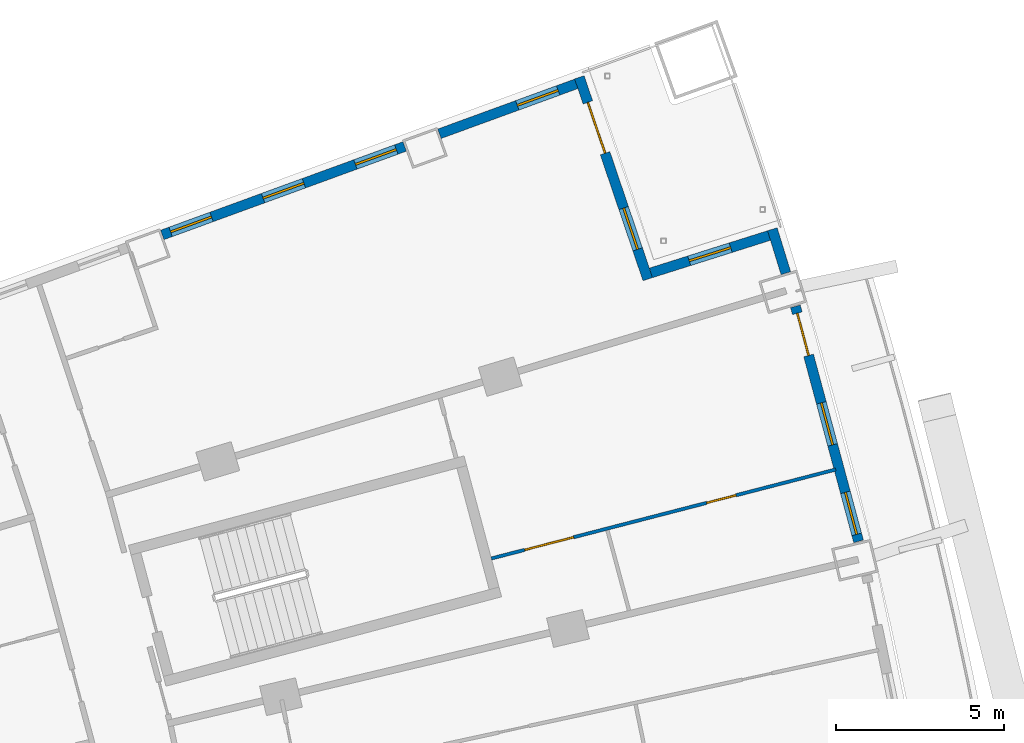
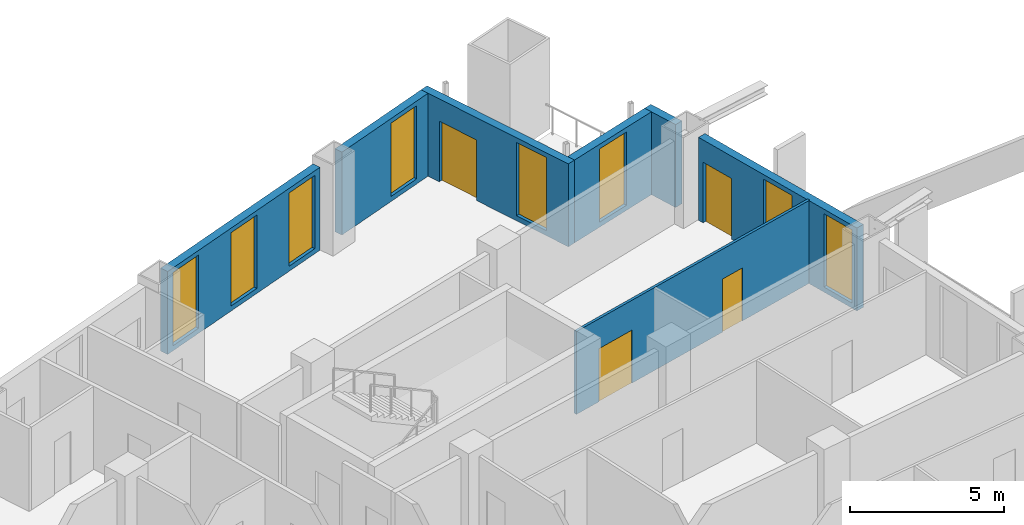
# One storey, part 21 of 25: 8 windows, 7 walls, 4 doors, 12 openings.
"""IFC4 building model written with IfcOpenShell, lengths in metres."""

from ifc_helpers import new_model, si_unit, direction, frame, frame_2d, origin, place, context, subcontext, project, spatial, rectangle, extrude, material, layer, layer_set, type_object, element, fill, save


model = new_model("IFC4")

# Units and contexts
model_context = context("Model", 3, precision=1e-05, world=origin(), true_north=direction((0.0, 1.0)))
body_context = subcontext(model_context, "Body", "Model", "MODEL_VIEW")
ifc_project = project(units=[si_unit("LENGTHUNIT", "METRE"), si_unit("AREAUNIT", "SQUARE_METRE"), si_unit("VOLUMEUNIT", "CUBIC_METRE"), si_unit("PLANEANGLEUNIT", "RADIAN"), si_unit("MASSUNIT", "GRAM", prefix="KILO")], contexts=[model_context])

# Site, building, storey
site_placement = place(None, origin())
site = spatial("IfcSite", under=ifc_project, at=site_placement, CompositionType="ELEMENT")
building_placement = place(site_placement, origin())
building = spatial("IfcBuilding", under=site, at=building_placement, Name="Alderwake Tower", CompositionType="ELEMENT")
storey_placement = place(building_placement, frame((0.0, 0.0, 64.39990234375)))
storey = spatial("IfcBuildingStorey", under=building, at=storey_placement, Name="L15", CompositionType="ELEMENT", Elevation=64.39990234375)

# Wall, openings, door, windows
ifc_material_1 = material(Name="Precast concrete C50/60 spandrel panel", Category="concrete")
ifc_layer_1 = layer(ifc_material_1, 0.300048828125)
ifc_layer_set_1 = layer_set([ifc_layer_1], Name="External wall EW1 Precast concrete C50/60 spandrel")
wall_type_1 = type_object("IfcWallType", Name="External wall EW1 Precast concrete C50/60 spandrel", PredefinedType="SOLIDWALL", material=ifc_layer_set_1)
wall_1_placement = place(storey_placement, frame((58.45361328125, 94.444091796875, 0.0), z_axis=(0.0, 0.0, 1.0), x_axis=(-0.259495836826, 0.96574422632, 0.0)))
wall_1 = element("IfcWall", 1, at=wall_1_placement, inside=storey, type_object=wall_type_1, Name="External wall 21", PredefinedType="SOLIDWALL", context=body_context, shape_type="SweptSolid", body=[
    extrude(rectangle(XDim=7.259521484375, YDim=0.300048828125, at=frame_2d((3.6298828125, 0.0))), origin(), (0.0, 0.0, 1.0), 3.280029296875),
])
opening_1_placement = place(wall_1_placement, frame((0.215087890625, 0.0, 0.199951171875)))
opening_1 = element("IfcOpeningElement", 2, at=opening_1_placement, cuts=wall_1, Name="Opening W1", PredefinedType="OPENING", context=body_context, shape_type="SweptSolid", body=[
    extrude(rectangle(XDim=1.300048828125, YDim=2.89990234375, at=frame_2d((0.64990234375, 1.449951171875))), frame((0.0, 0.159912109375, 0.0), z_axis=(0.0, -1.0, 0.0), x_axis=(1.0, 0.0, 0.0)), (0.0, 0.0, 1.0), 0.320068359375),
])
opening_2_placement = place(wall_1_placement, frame((2.979736328125, 0.0, 0.199951171875)))
opening_2 = element("IfcOpeningElement", 3, at=opening_2_placement, cuts=wall_1, Name="Opening W1", PredefinedType="OPENING", context=body_context, shape_type="SweptSolid", body=[
    extrude(rectangle(XDim=1.300048828125, YDim=2.89990234375, at=frame_2d((0.64990234375, 1.449951171875))), frame((0.0, 0.159912109375, 0.0), z_axis=(0.0, -1.0, 0.0), x_axis=(1.0, 0.0, 0.0)), (0.0, 0.0, 1.0), 0.320068359375),
])
opening_3_placement = place(wall_1_placement, frame((5.744384765625, 0.0, 0.0)))
opening_3 = element("IfcOpeningElement", 4, at=opening_3_placement, cuts=wall_1, Name="Opening D12", PredefinedType="OPENING", context=body_context, shape_type="SweptSolid", body=[
    extrude(rectangle(XDim=1.300048828125, YDim=2.39990234375, at=frame_2d((0.64990234375, 1.199951171875))), frame((0.0, 0.159912109375, 0.0), z_axis=(0.0, -1.0, 0.0), x_axis=(1.0, 0.0, 0.0)), (0.0, 0.0, 1.0), 0.320068359375),
])
ifc_material_2 = material(Name="Bronze tinted glass in aluminium frame", Category="aluminium")
door_type_1 = type_object("IfcDoorType", Name="Balcony door BD sliding", OperationType="SLIDING_TO_LEFT", PredefinedType="DOOR", material=ifc_material_2)
door_1_placement = place(opening_3_placement, origin())
door_1 = element("IfcDoor", 5, at=door_1_placement, inside=storey, type_object=door_type_1, Name="Door D12", OperationType="SLIDING_TO_LEFT", OverallHeight=2.39990234375, OverallWidth=1.300048828125, PredefinedType="DOOR", context=body_context, shape_type="SweptSolid", body=[
    extrude(rectangle(XDim=1.300048828125, YDim=2.39990234375, at=frame_2d((0.64990234375, 1.199951171875))), frame((0.0, 0.02490234375, 0.0), z_axis=(0.0, -1.0, 0.0), x_axis=(1.0, 0.0, 0.0)), (0.0, 0.0, 1.0), 0.050048828125),
])
fill(opening_3, door_1)
ifc_material_3 = material(Name="Bronze tinted glass in aluminium frame", Category="aluminium")
window_type = type_object("IfcWindowType", Name="Window W1 tall fixed and vent", PartitioningType="DOUBLE_PANEL_VERTICAL", PredefinedType="WINDOW", material=ifc_material_3)
window_1_placement = place(opening_1_placement, origin())
window_1 = element("IfcWindow", 6, at=window_1_placement, inside=storey, type_object=window_type, Name="Window W1 tall fixed and vent", OverallHeight=2.89990234375, OverallWidth=1.300048828125, PartitioningType="DOUBLE_PANEL_VERTICAL", PredefinedType="WINDOW", context=body_context, shape_type="SweptSolid", body=[
    extrude(rectangle(XDim=1.300048828125, YDim=2.89990234375, at=frame_2d((0.64990234375, 1.449951171875))), frame((0.0, 0.030029296875, 0.0), z_axis=(0.0, -1.0, 0.0), x_axis=(1.0, 0.0, 0.0)), (0.0, 0.0, 1.0), 0.06005859375),
])
fill(opening_1, window_1)
window_2_placement = place(opening_2_placement, origin())
window_2 = element("IfcWindow", 7, at=window_2_placement, inside=storey, type_object=window_type, Name="Window W1 tall fixed and vent", OverallHeight=2.89990234375, OverallWidth=1.300048828125, PartitioningType="DOUBLE_PANEL_VERTICAL", PredefinedType="WINDOW", context=body_context, shape_type="SweptSolid", body=[
    extrude(rectangle(XDim=1.300048828125, YDim=2.89990234375, at=frame_2d((0.64990234375, 1.449951171875))), frame((0.0, 0.030029296875, 0.0), z_axis=(0.0, -1.0, 0.0), x_axis=(1.0, 0.0, 0.0)), (0.0, 0.0, 1.0), 0.06005859375),
])
fill(opening_2, window_2)

# Wall
wall_2_placement = place(storey_placement, frame((56.28466796875, 102.445068359375, 0.0), z_axis=(0.0, 0.0, 1.0), x_axis=(-0.294511238731, 0.955648015883, 0.0)))
element("IfcWall", 8, at=wall_2_placement, inside=storey, type_object=wall_type_1, Name="External wall 22", PredefinedType="SOLIDWALL", context=body_context, shape_type="SweptSolid", body=[
    extrude(rectangle(XDim=1.37109375, YDim=0.300048828125, at=frame_2d((0.685546875, 0.0))), origin(), (0.0, 0.0, 1.0), 3.280029296875),
])

# Wall, opening, window
ifc_material_4 = material(Name="Bronze metal cladding on lightweight framing")
ifc_layer_2 = layer(ifc_material_4, 0.300048828125)
ifc_layer_set_2 = layer_set([ifc_layer_2], Name="External wall EW2 bronze metal cladding")
wall_type_2 = type_object("IfcWallType", Name="External wall EW2 bronze metal cladding", PredefinedType="SOLIDWALL", material=ifc_layer_set_2)
wall_3_placement = place(storey_placement, frame((55.781982421875, 103.56689453125, 0.0), z_axis=(0.0, 0.0, 1.0), x_axis=(-0.953472737628, -0.301479250697, 0.0)))
wall_3 = element("IfcWall", 9, at=wall_3_placement, inside=storey, type_object=wall_type_2, Name="External wall 23", PredefinedType="SOLIDWALL", context=body_context, shape_type="SweptSolid", body=[
    extrude(rectangle(XDim=3.6943359375, YDim=0.300048828125, at=frame_2d((1.84716796875, 0.0))), origin(), (0.0, 0.0, 1.0), 3.280029296875),
])
opening_4_placement = place(wall_3_placement, frame((1.197021484375, 0.0, 0.199951171875)))
opening_4 = element("IfcOpeningElement", 10, at=opening_4_placement, cuts=wall_3, Name="Opening W1", PredefinedType="OPENING", context=body_context, shape_type="SweptSolid", body=[
    extrude(rectangle(XDim=1.300048828125, YDim=2.89990234375, at=frame_2d((0.64990234375, 1.449951171875))), frame((0.0, 0.159912109375, 0.0), z_axis=(0.0, -1.0, 0.0), x_axis=(1.0, 0.0, 0.0)), (0.0, 0.0, 1.0), 0.320068359375),
])
window_3_placement = place(opening_4_placement, origin())
window_3 = element("IfcWindow", 11, at=window_3_placement, inside=storey, type_object=window_type, Name="Window W1 tall fixed and vent", OverallHeight=2.89990234375, OverallWidth=1.300048828125, PartitioningType="DOUBLE_PANEL_VERTICAL", PredefinedType="WINDOW", context=body_context, shape_type="SweptSolid", body=[
    extrude(rectangle(XDim=1.300048828125, YDim=2.89990234375, at=frame_2d((0.64990234375, 1.449951171875))), frame((0.0, 0.030029296875, 0.0), z_axis=(0.0, -1.0, 0.0), x_axis=(1.0, 0.0, 0.0)), (0.0, 0.0, 1.0), 0.06005859375),
])
fill(opening_4, window_3)

# Wall, openings, door, window
wall_4_placement = place(storey_placement, frame((52.164794921875, 102.265869140625, 0.0), z_axis=(0.0, 0.0, 1.0), x_axis=(-0.320924841055, 0.947104664962, 0.0)))
wall_4 = element("IfcWall", 12, at=wall_4_placement, inside=storey, type_object=wall_type_2, Name="External wall 24", PredefinedType="SOLIDWALL", context=body_context, shape_type="SweptSolid", body=[
    extrude(rectangle(XDim=6.356689453125, YDim=0.300048828125, at=frame_2d((3.17822265625, 0.0))), origin(), (0.0, 0.0, 1.0), 3.280029296875),
])
opening_5_placement = place(wall_4_placement, frame((0.939208984375, 0.0, 0.199951171875)))
opening_5 = element("IfcOpeningElement", 13, at=opening_5_placement, cuts=wall_4, Name="Opening W1", PredefinedType="OPENING", context=body_context, shape_type="SweptSolid", body=[
    extrude(rectangle(XDim=1.300048828125, YDim=2.89990234375, at=frame_2d((0.64990234375, 1.449951171875))), frame((0.0, 0.159912109375, 0.0), z_axis=(0.0, -1.0, 0.0), x_axis=(1.0, 0.0, 0.0)), (0.0, 0.0, 1.0), 0.320068359375),
])
opening_6_placement = place(wall_4_placement, frame((3.967529296875, 0.0, 0.0)))
opening_6 = element("IfcOpeningElement", 14, at=opening_6_placement, cuts=wall_4, Name="Opening D13", PredefinedType="OPENING", context=body_context, shape_type="SweptSolid", body=[
    extrude(rectangle(XDim=1.60009765625, YDim=2.39990234375, at=frame_2d((0.800048828125, 1.199951171875))), frame((0.0, 0.159912109375, 0.0), z_axis=(0.0, -1.0, 0.0), x_axis=(1.0, 0.0, 0.0)), (0.0, 0.0, 1.0), 0.320068359375),
])
ifc_material_5 = material(Name="Bronze tinted glass in aluminium frame", Category="aluminium")
door_type_2 = type_object("IfcDoorType", Name="Terrace door TD sliding", OperationType="SLIDING_TO_LEFT", PredefinedType="DOOR", material=ifc_material_5)
door_2_placement = place(opening_6_placement, origin())
door_2 = element("IfcDoor", 15, at=door_2_placement, inside=storey, type_object=door_type_2, Name="Door D13", OperationType="SLIDING_TO_LEFT", OverallHeight=2.39990234375, OverallWidth=1.60009765625, PredefinedType="DOOR", context=body_context, shape_type="SweptSolid", body=[
    extrude(rectangle(XDim=1.60009765625, YDim=2.39990234375, at=frame_2d((0.800048828125, 1.199951171875))), frame((0.0, 0.02490234375, 0.0), z_axis=(0.0, -1.0, 0.0), x_axis=(1.0, 0.0, 0.0)), (0.0, 0.0, 1.0), 0.050048828125),
])
fill(opening_6, door_2)
window_4_placement = place(opening_5_placement, origin())
window_4 = element("IfcWindow", 16, at=window_4_placement, inside=storey, type_object=window_type, Name="Window W1 tall fixed and vent", OverallHeight=2.89990234375, OverallWidth=1.300048828125, PartitioningType="DOUBLE_PANEL_VERTICAL", PredefinedType="WINDOW", context=body_context, shape_type="SweptSolid", body=[
    extrude(rectangle(XDim=1.300048828125, YDim=2.89990234375, at=frame_2d((0.64990234375, 1.449951171875))), frame((0.0, 0.030029296875, 0.0), z_axis=(0.0, -1.0, 0.0), x_axis=(1.0, 0.0, 0.0)), (0.0, 0.0, 1.0), 0.06005859375),
])
fill(opening_5, window_4)

# Wall, opening, window
wall_5_placement = place(storey_placement, frame((50.031982421875, 108.0927734375, 0.0), z_axis=(0.0, 0.0, 1.0), x_axis=(-0.939366224685, -0.342915581333, 0.0)))
wall_5 = element("IfcWall", 17, at=wall_5_placement, inside=storey, type_object=wall_type_2, Name="External wall 25", PredefinedType="SOLIDWALL", context=body_context, shape_type="SweptSolid", body=[
    extrude(rectangle(XDim=4.345703125, YDim=0.300048828125, at=frame_2d((2.1728515625, 0.0))), origin(), (0.0, 0.0, 1.0), 3.280029296875),
])
opening_7_placement = place(wall_5_placement, frame((0.574462890625, 0.0, 0.199951171875)))
opening_7 = element("IfcOpeningElement", 18, at=opening_7_placement, cuts=wall_5, Name="Opening W1", PredefinedType="OPENING", context=body_context, shape_type="SweptSolid", body=[
    extrude(rectangle(XDim=1.300048828125, YDim=2.89990234375, at=frame_2d((0.64990234375, 1.449951171875))), frame((0.0, 0.159912109375, 0.0), z_axis=(0.0, -1.0, 0.0), x_axis=(1.0, 0.0, 0.0)), (0.0, 0.0, 1.0), 0.320068359375),
])
window_5_placement = place(opening_7_placement, origin())
window_5 = element("IfcWindow", 19, at=window_5_placement, inside=storey, type_object=window_type, Name="Window W1 tall fixed and vent", OverallHeight=2.89990234375, OverallWidth=1.300048828125, PartitioningType="DOUBLE_PANEL_VERTICAL", PredefinedType="WINDOW", context=body_context, shape_type="SweptSolid", body=[
    extrude(rectangle(XDim=1.300048828125, YDim=2.89990234375, at=frame_2d((0.64990234375, 1.449951171875))), frame((0.0, 0.030029296875, 0.0), z_axis=(0.0, -1.0, 0.0), x_axis=(1.0, 0.0, 0.0)), (0.0, 0.0, 1.0), 0.06005859375),
])
fill(opening_7, window_5)

# Wall, openings, windows
wall_6_placement = place(storey_placement, frame((44.91259765625, 106.22412109375, 0.0), z_axis=(0.0, 0.0, 1.0), x_axis=(-0.939374999544, -0.342891542958, 0.0)))
wall_6 = element("IfcWall", 20, at=wall_6_placement, inside=storey, type_object=wall_type_2, Name="External wall 26", PredefinedType="SOLIDWALL", context=body_context, shape_type="SweptSolid", body=[
    extrude(rectangle(XDim=7.696044921875, YDim=0.300048828125, at=frame_2d((3.84814453125, 0.0))), origin(), (0.0, 0.0, 1.0), 3.280029296875),
])
opening_8_placement = place(wall_6_placement, frame((0.2646484375, 0.0, 0.199951171875)))
opening_8 = element("IfcOpeningElement", 21, at=opening_8_placement, cuts=wall_6, Name="Opening W1", PredefinedType="OPENING", context=body_context, shape_type="SweptSolid", body=[
    extrude(rectangle(XDim=1.300048828125, YDim=2.89990234375, at=frame_2d((0.64990234375, 1.449951171875))), frame((0.0, 0.159912109375, 0.0), z_axis=(0.0, -1.0, 0.0), x_axis=(1.0, 0.0, 0.0)), (0.0, 0.0, 1.0), 0.320068359375),
])
opening_9_placement = place(wall_6_placement, frame((3.197998046875, 0.0, 0.199951171875)))
opening_9 = element("IfcOpeningElement", 22, at=opening_9_placement, cuts=wall_6, Name="Opening W1", PredefinedType="OPENING", context=body_context, shape_type="SweptSolid", body=[
    extrude(rectangle(XDim=1.300048828125, YDim=2.89990234375, at=frame_2d((0.64990234375, 1.449951171875))), frame((0.0, 0.159912109375, 0.0), z_axis=(0.0, -1.0, 0.0), x_axis=(1.0, 0.0, 0.0)), (0.0, 0.0, 1.0), 0.320068359375),
])
opening_10_placement = place(wall_6_placement, frame((6.13134765625, 0.0, 0.199951171875)))
opening_10 = element("IfcOpeningElement", 23, at=opening_10_placement, cuts=wall_6, Name="Opening W1", PredefinedType="OPENING", context=body_context, shape_type="SweptSolid", body=[
    extrude(rectangle(XDim=1.300048828125, YDim=2.89990234375, at=frame_2d((0.64990234375, 1.449951171875))), frame((0.0, 0.159912109375, 0.0), z_axis=(0.0, -1.0, 0.0), x_axis=(1.0, 0.0, 0.0)), (0.0, 0.0, 1.0), 0.320068359375),
])
window_6_placement = place(opening_8_placement, origin())
window_6 = element("IfcWindow", 24, at=window_6_placement, inside=storey, type_object=window_type, Name="Window W1 tall fixed and vent", OverallHeight=2.89990234375, OverallWidth=1.300048828125, PartitioningType="DOUBLE_PANEL_VERTICAL", PredefinedType="WINDOW", context=body_context, shape_type="SweptSolid", body=[
    extrude(rectangle(XDim=1.300048828125, YDim=2.89990234375, at=frame_2d((0.64990234375, 1.449951171875))), frame((0.0, 0.030029296875, 0.0), z_axis=(0.0, -1.0, 0.0), x_axis=(1.0, 0.0, 0.0)), (0.0, 0.0, 1.0), 0.06005859375),
])
fill(opening_8, window_6)
window_7_placement = place(opening_9_placement, origin())
window_7 = element("IfcWindow", 25, at=window_7_placement, inside=storey, type_object=window_type, Name="Window W1 tall fixed and vent", OverallHeight=2.89990234375, OverallWidth=1.300048828125, PartitioningType="DOUBLE_PANEL_VERTICAL", PredefinedType="WINDOW", context=body_context, shape_type="SweptSolid", body=[
    extrude(rectangle(XDim=1.300048828125, YDim=2.89990234375, at=frame_2d((0.64990234375, 1.449951171875))), frame((0.0, 0.030029296875, 0.0), z_axis=(0.0, -1.0, 0.0), x_axis=(1.0, 0.0, 0.0)), (0.0, 0.0, 1.0), 0.06005859375),
])
fill(opening_9, window_7)
window_8_placement = place(opening_10_placement, origin())
window_8 = element("IfcWindow", 26, at=window_8_placement, inside=storey, type_object=window_type, Name="Window W1 tall fixed and vent", OverallHeight=2.89990234375, OverallWidth=1.300048828125, PartitioningType="DOUBLE_PANEL_VERTICAL", PredefinedType="WINDOW", context=body_context, shape_type="SweptSolid", body=[
    extrude(rectangle(XDim=1.300048828125, YDim=2.89990234375, at=frame_2d((0.64990234375, 1.449951171875))), frame((0.0, 0.030029296875, 0.0), z_axis=(0.0, -1.0, 0.0), x_axis=(1.0, 0.0, 0.0)), (0.0, 0.0, 1.0), 0.06005859375),
])
fill(opening_10, window_8)

# Wall, openings, doors
ifc_material_6 = material(Name="Gypsum board on metal studs")
ifc_layer_3 = layer(ifc_material_6, 0.10009765625)
ifc_layer_set_3 = layer_set([ifc_layer_3], Name="Unit partition 100")
wall_type_3 = type_object("IfcWallType", Name="Unit partition 100", PredefinedType="PARTITIONING", material=ifc_layer_set_3)
wall_7_placement = place(storey_placement, frame((47.4990234375, 93.93310546875, 0.0), z_axis=(0.0, 0.0, 1.0), x_axis=(0.968204383507, 0.250160491999, 0.0)))
wall_7 = element("IfcWall", 27, at=wall_7_placement, inside=storey, type_object=wall_type_3, Name="WL/L15/W79", PredefinedType="PARTITIONING", context=body_context, shape_type="SweptSolid", body=[
    extrude(rectangle(XDim=10.6123046875, YDim=0.10009765625, at=frame_2d((5.30615234375, 0.0))), origin(), (0.0, 0.0, 1.0), 3.280029296875),
])
opening_11_placement = place(wall_7_placement, frame((1.03173828125, 0.0, 0.0)))
opening_11 = element("IfcOpeningElement", 28, at=opening_11_placement, cuts=wall_7, Name="Opening R04-U02.2", PredefinedType="OPENING", context=body_context, shape_type="SweptSolid", body=[
    extrude(rectangle(XDim=1.5, YDim=2.10009765625, at=frame_2d((0.75, 1.050048828125))), frame((0.0, 0.06005859375, 0.0), z_axis=(0.0, -1.0, 0.0), x_axis=(1.0, 0.0, 0.0)), (0.0, 0.0, 1.0), 0.1201171875),
])
opening_12_placement = place(wall_7_placement, frame((6.6376953125, 0.0, 0.0)))
opening_12 = element("IfcOpeningElement", 29, at=opening_12_placement, cuts=wall_7, Name="Opening R04-U02.3", PredefinedType="OPENING", context=body_context, shape_type="SweptSolid", body=[
    extrude(rectangle(XDim=0.89990234375, YDim=2.10009765625, at=frame_2d((0.449951171875, 1.050048828125))), frame((0.0, 0.06005859375, 0.0), z_axis=(0.0, -1.0, 0.0), x_axis=(1.0, 0.0, 0.0)), (0.0, 0.0, 1.0), 0.1201171875),
])
ifc_material_7 = material(Name="Painted timber leaves", Category="wood")
door_type_3 = type_object("IfcDoorType", Name="Double leaf door 1500", OperationType="DOUBLE_DOOR_SINGLE_SWING", PredefinedType="DOOR", material=ifc_material_7)
door_3_placement = place(opening_11_placement, origin())
door_3 = element("IfcDoor", 30, at=door_3_placement, inside=storey, type_object=door_type_3, Name="DR/L15/U02.2", OperationType="DOUBLE_DOOR_SINGLE_SWING", OverallHeight=2.10009765625, OverallWidth=1.5, PredefinedType="DOOR", context=body_context, shape_type="SweptSolid", body=[
    extrude(rectangle(XDim=1.5, YDim=2.10009765625, at=frame_2d((0.75, 1.050048828125))), frame((0.0, 0.02490234375, 0.0), z_axis=(0.0, -1.0, 0.0), x_axis=(1.0, 0.0, 0.0)), (0.0, 0.0, 1.0), 0.050048828125),
])
fill(opening_11, door_3)
ifc_material_8 = material(Name="Painted timber leaf", Category="wood")
door_type_4 = type_object("IfcDoorType", Name="Room door 900", OperationType="SINGLE_SWING_LEFT", PredefinedType="DOOR", material=ifc_material_8)
door_4_placement = place(opening_12_placement, origin())
door_4 = element("IfcDoor", 31, at=door_4_placement, inside=storey, type_object=door_type_4, Name="DR/L15/U02.3", OperationType="SINGLE_SWING_LEFT", OverallHeight=2.10009765625, OverallWidth=0.89990234375, PredefinedType="DOOR", context=body_context, shape_type="SweptSolid", body=[
    extrude(rectangle(XDim=0.89990234375, YDim=2.10009765625, at=frame_2d((0.449951171875, 1.050048828125))), frame((0.0, 0.02490234375, 0.0), z_axis=(0.0, -1.0, 0.0), x_axis=(1.0, 0.0, 0.0)), (0.0, 0.0, 1.0), 0.050048828125),
])
fill(opening_12, door_4)

save(model, "model.ifc")
